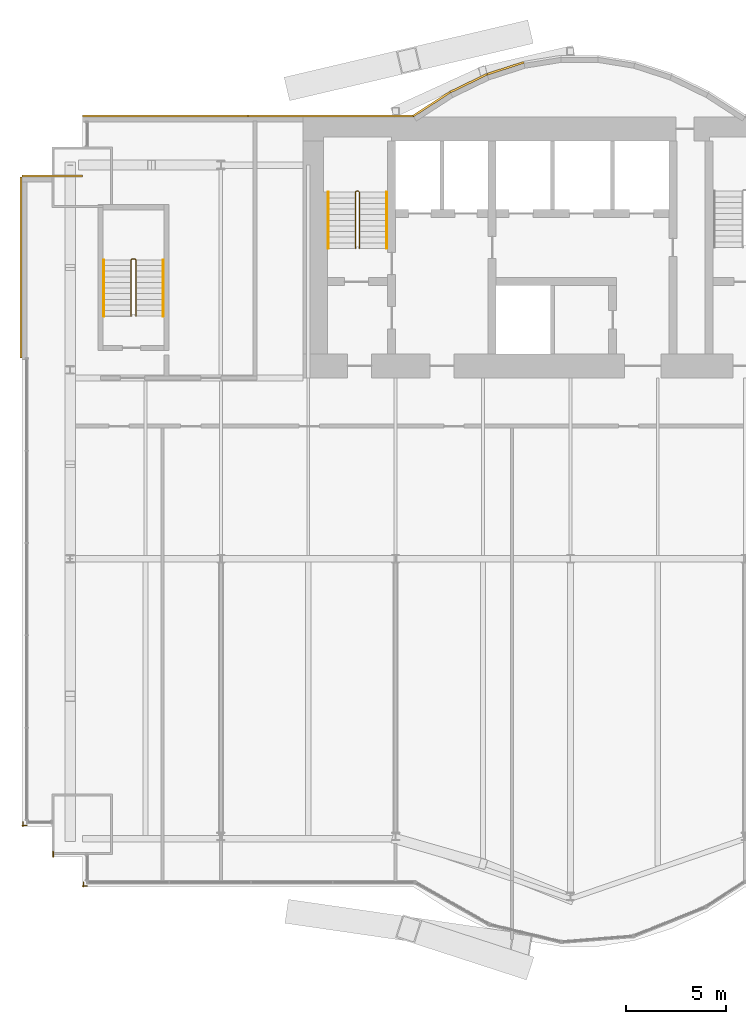
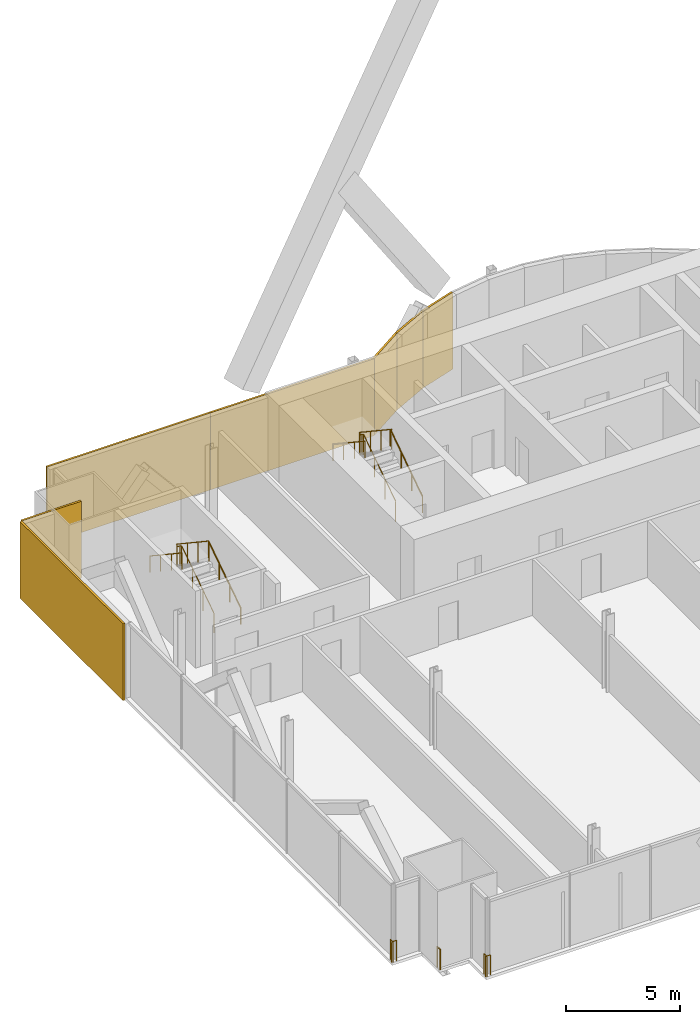
# One storey, part 20 of 22: 9 railings, 7 coverings.
"""IFC4 building model written with IfcOpenShell, lengths in metres."""

from ifc_helpers import new_model, si_unit, direction, frame, origin, origin_2d, place, context, subcontext, project, spatial, rectangle, circle, extrude, material, layer, layer_set, type_object, element, save


model = new_model("IFC4")

# Units and contexts
model_context = context("Model", 3, precision=1e-05, world=origin(), true_north=direction((0.0, 1.0)))
body_context = subcontext(model_context, "Body", "Model", "MODEL_VIEW")
ifc_project = project(units=[si_unit("LENGTHUNIT", "METRE"), si_unit("AREAUNIT", "SQUARE_METRE"), si_unit("VOLUMEUNIT", "CUBIC_METRE"), si_unit("PLANEANGLEUNIT", "RADIAN"), si_unit("MASSUNIT", "GRAM", prefix="KILO")], contexts=[model_context])

# Site, building, storey
site_placement = place(None, origin())
site = spatial("IfcSite", under=ifc_project, at=site_placement, CompositionType="ELEMENT")
building_placement = place(site_placement, origin())
building = spatial("IfcBuilding", under=site, at=building_placement, Name="Bicima Exchange Tower", CompositionType="ELEMENT")
storey_placement = place(building_placement, frame((0.0, 0.0, 102.199951171875)))
storey = spatial("IfcBuildingStorey", under=building, at=storey_placement, Name="L21", CompositionType="ELEMENT", Elevation=102.199951171875)

# Coverings
ifc_material_1 = material(Name="Bronze metal cladding")
ifc_layer_1 = layer(ifc_material_1, 0.004)
ifc_material_2 = material(Name="Ventilated cavity")
ifc_layer_2 = layer(ifc_material_2, 0.06)
ifc_material_3 = material(Name="Galvanised steel rail and mineral wool", Category="steel")
ifc_layer_3 = layer(ifc_material_3, 0.036)
ifc_layer_set = layer_set([ifc_layer_1, ifc_layer_2, ifc_layer_3], Name="Ventilated cavity")
covering_type = type_object("IfcCoveringType", Name="Bronze metal cladding panel 100", PredefinedType="CLADDING", material=ifc_layer_set)
covering_1_placement = place(storey_placement, frame((-11.931884765625, 2.41796875, -0.14990234375), z_axis=(0.0, 0.0, 1.0), x_axis=(-0.951524642381, -0.307572519808, 0.0)))
element("IfcCovering", 1, at=covering_1_placement, inside=storey, type_object=covering_type, Name="Bronze cladding L21 17.1", PredefinedType="CLADDING", context=body_context, shape_type="SweptSolid", body=[
    extrude(rectangle(XDim=1.9267578125, YDim=0.10009765625, at=origin_2d()), origin(), (0.0, 0.0, 1.0), 4.10009765625),
])
covering_2_placement = place(storey_placement, frame((-13.771728515625, 1.674560546875, -0.14990234375), z_axis=(0.0, 0.0, 1.0), x_axis=(-0.899818346812, -0.436264762204, 0.0)))
element("IfcCovering", 2, at=covering_2_placement, inside=storey, type_object=covering_type, Name="Bronze cladding L21 18.1", PredefinedType="CLADDING", context=body_context, shape_type="SweptSolid", body=[
    extrude(rectangle(XDim=2.03759765625, YDim=0.10009765625, at=origin_2d()), origin(), (0.0, 0.0, 1.0), 4.10009765625),
])
covering_3_placement = place(storey_placement, frame((-15.610595703125, 0.634521484375, -0.14990234375), z_axis=(0.0, 0.0, 1.0), x_axis=(-0.839790466384, -0.542910648791, 0.0)))
element("IfcCovering", 3, at=covering_3_placement, inside=storey, type_object=covering_type, Name="Bronze cladding L21 19.1", PredefinedType="CLADDING", context=body_context, shape_type="SweptSolid", body=[
    extrude(rectangle(XDim=2.18310546875, YDim=0.10009765625, at=origin_2d()), origin(), (0.0, 0.0, 1.0), 4.10009765625),
])
for number, where, z_axis, x_axis, name in (
    (4, (-20.625, 0.050048828125, -0.14990234375), (0.0, 0.0, 1.0), (-1.0, 0.0, 0.0), "Bronze cladding L21 20.1"),
    (5, (-28.875, 0.050048828125, -0.14990234375), (0.0, 0.0, 1.0), (-1.0, 0.0, 0.0), "Bronze cladding L21 20.2"),
):
    element("IfcCovering", number, at=place(storey_placement, frame(where, z_axis=z_axis, x_axis=x_axis)), inside=storey, type_object=covering_type, Name=name, PredefinedType="CLADDING", context=body_context, shape_type="SweptSolid", body=[
        extrude(rectangle(XDim=8.25, YDim=0.10009765625, at=origin_2d()), origin(), (0.0, 0.0, 1.0), 4.10009765625),
    ])
covering_4_placement = place(storey_placement, frame((-34.5, -2.949951171875, -0.14990234375), z_axis=(0.0, 0.0, 1.0), x_axis=(-1.0, 0.0, 0.0)))
element("IfcCovering", 6, at=covering_4_placement, inside=storey, type_object=covering_type, Name="Bronze cladding L21 22.1", PredefinedType="CLADDING", context=body_context, shape_type="SweptSolid", body=[
    extrude(rectangle(XDim=3.0, YDim=0.10009765625, at=origin_2d()), origin(), (0.0, 0.0, 1.0), 4.10009765625),
])
covering_5_placement = place(storey_placement, frame((-36.050048828125, -7.5, -0.14990234375), z_axis=(0.0, 0.0, 1.0), x_axis=(0.0, -1.0, 0.0)))
element("IfcCovering", 7, at=covering_5_placement, inside=storey, type_object=covering_type, Name="Bronze cladding L21 23.1", PredefinedType="CLADDING", context=body_context, shape_type="SweptSolid", body=[
    extrude(rectangle(XDim=9.0, YDim=0.10009765625, at=origin_2d()), origin(), (0.0, 0.0, 1.0), 4.10009765625),
])

# Railings
ifc_material_4 = material(Name="Stainless steel and bonded safety glass", Category="steel")
railing_type_1 = type_object("IfcRailingType", Name="Edge guard 1100", PredefinedType="GUARDRAIL", material=ifc_material_4)
railing_1_placement = place(storey_placement, frame((-35.75, -35.2900390625, 0.0)))
element("IfcRailing", 8, at=railing_1_placement, inside=storey, type_object=railing_type_1, Name="Edge guard L21 97", PredefinedType="GUARDRAIL", context=body_context, shape_type="SweptSolid", body=[
    extrude(circle(Radius=0.02392578125, at=origin_2d()), frame((0.0, 0.0, 1.076171875), z_axis=(-1.0, 0.0, 0.0), x_axis=(0.0, -1.0, 0.0)), (0.0, 0.0, 1.0), 0.25),
    extrude(circle(Radius=0.02392578125, at=origin_2d()), frame((-0.25, 0.0, 1.076171875), z_axis=(0.707106781187, -0.707106781187, 0.0), x_axis=(0.707106781187, 0.707106781187, 0.0)), (0.0, 0.0, 1.0), 0.07080078125),
    extrude(circle(Radius=0.02392578125, at=origin_2d()), frame((-0.199951171875, -0.050048828125, 1.076171875), z_axis=(0.0, 1.0, 0.0), x_axis=(-1.0, 0.0, 0.0)), (0.0, 0.0, 1.0), 0.2490234375),
    extrude(circle(Radius=0.02099609375, at=origin_2d()), origin(), (0.0, 0.0, 1.0), 1.052001953125),
    extrude(circle(Radius=0.02099609375, at=origin_2d()), frame((-0.25, 0.0, 0.0)), (0.0, 0.0, 1.0), 1.052001953125),
    extrude(circle(Radius=0.02099609375, at=origin_2d()), frame((-0.199951171875, -0.050048828125, 0.0)), (0.0, 0.0, 1.0), 1.052001953125),
    extrude(circle(Radius=0.02099609375, at=origin_2d()), frame((-0.199951171875, 0.198974609375, 0.0)), (0.0, 0.0, 1.0), 1.052001953125),
])
railing_2_placement = place(storey_placement, frame((-32.75, -38.2900390625, 0.0)))
element("IfcRailing", 9, at=railing_2_placement, inside=storey, type_object=railing_type_1, Name="Edge guard L21 101", PredefinedType="GUARDRAIL", context=body_context, shape_type="SweptSolid", body=[
    extrude(circle(Radius=0.02392578125, at=origin_2d()), frame((0.0, 0.0, 1.076171875), z_axis=(-1.0, 0.0, 0.0), x_axis=(0.0, -1.0, 0.0)), (0.0, 0.0, 1.0), 0.25),
    extrude(circle(Radius=0.02392578125, at=origin_2d()), frame((-0.25, 0.0, 1.076171875), z_axis=(0.707106781187, -0.707106781187, 0.0), x_axis=(0.707106781187, 0.707106781187, 0.0)), (0.0, 0.0, 1.0), 0.07080078125),
    extrude(circle(Radius=0.02392578125, at=origin_2d()), frame((-0.199951171875, -0.050048828125, 1.076171875), z_axis=(0.0, 1.0, 0.0), x_axis=(-1.0, 0.0, 0.0)), (0.0, 0.0, 1.0), 0.25),
    extrude(circle(Radius=0.02099609375, at=origin_2d()), origin(), (0.0, 0.0, 1.0), 1.052001953125),
    extrude(circle(Radius=0.02099609375, at=origin_2d()), frame((-0.25, 0.0, 0.0)), (0.0, 0.0, 1.0), 1.052001953125),
    extrude(circle(Radius=0.02099609375, at=origin_2d()), frame((-0.199951171875, -0.050048828125, 0.0)), (0.0, 0.0, 1.0), 1.052001953125),
    extrude(circle(Radius=0.02099609375, at=origin_2d()), frame((-0.199951171875, 0.199951171875, 0.0)), (0.0, 0.0, 1.0), 1.052001953125),
])
railing_3_placement = place(storey_placement, frame((-34.449951171875, -36.840087890625, 0.0)))
element("IfcRailing", 10, at=railing_3_placement, inside=storey, type_object=railing_type_1, Name="Edge guard L21 102", PredefinedType="GUARDRAIL", context=body_context, shape_type="SweptSolid", body=[
    extrude(circle(Radius=0.02392578125, at=origin_2d()), frame((0.0, 0.0, 1.076171875), z_axis=(0.0, 1.0, 0.0), x_axis=(-1.0, 0.0, 0.0)), (0.0, 0.0, 1.0), 0.25),
    extrude(circle(Radius=0.02099609375, at=origin_2d()), origin(), (0.0, 0.0, 1.0), 1.052001953125),
    extrude(circle(Radius=0.02099609375, at=origin_2d()), frame((0.0, 0.25, 0.0)), (0.0, 0.0, 1.0), 1.052001953125),
])
ifc_material_5 = material(Name="Stainless steel", Category="steel")
railing_type_2 = type_object("IfcRailingType", Name="Stair guard 1100", PredefinedType="GUARDRAIL", material=ifc_material_5)
railing_4_placement = place(storey_placement, frame((-19.199951171875, -6.550048828125, 0.1865234375)))
element("IfcRailing", 11, at=railing_4_placement, inside=storey, type_object=railing_type_2, Name="L21 ST-W stair guard 1", PredefinedType="GUARDRAIL", context=body_context, shape_type="SweptSolid", body=[
    extrude(circle(Radius=0.02392578125, at=origin_2d()), frame((0.0, 0.0, 1.076171875), z_axis=(0.0, 0.832485552168, 0.554046753832), x_axis=(-1.0, 0.0, 0.0)), (0.0, 0.0, 1.0), 3.363525390625),
    extrude(circle(Radius=0.02392578125, at=origin_2d()), frame((0.0, 2.800048828125, 2.939453125), z_axis=(-0.707106781187, 0.707106781187, 0.0), x_axis=(-0.707106781187, -0.707106781187, 0.0)), (0.0, 0.0, 1.0), 0.07080078125),
    extrude(circle(Radius=0.02392578125, at=origin_2d()), frame((-0.050048828125, 2.85009765625, 2.939453125), z_axis=(-1.0, 0.0, 0.0), x_axis=(0.0, -1.0, 0.0)), (0.0, 0.0, 1.0), 0.10009765625),
    extrude(circle(Radius=0.02392578125, at=origin_2d()), frame((-0.150146484375, 2.85009765625, 2.939453125), z_axis=(-0.250008635948, -0.251234168477, 0.935081319748), x_axis=(0.708833529934, -0.705375805398, 0.0)), (0.0, 0.0, 1.0), 0.19921875),
    extrude(circle(Radius=0.02392578125, at=origin_2d()), frame((-0.199951171875, 2.800048828125, 3.1259765625), z_axis=(0.0, -0.832452072856, 0.554097055034), x_axis=(1.0, 0.0, 0.0)), (0.0, 0.0, 1.0), 3.363525390625),
    extrude(circle(Radius=0.02099609375, at=origin_2d()), origin(), (0.0, 0.0, 1.0), 1.052001953125),
    extrude(circle(Radius=0.02099609375, at=origin_2d()), frame((0.0, 0.933349609375, 0.62109375)), (0.0, 0.0, 1.0), 1.052001953125),
    extrude(circle(Radius=0.02099609375, at=origin_2d()), frame((0.0, 1.86669921875, 1.242431640625)), (0.0, 0.0, 1.0), 1.052001953125),
    extrude(circle(Radius=0.02099609375, at=origin_2d()), frame((0.0, 2.800048828125, 1.863525390625)), (0.0, 0.0, 1.0), 1.052001953125),
    extrude(circle(Radius=0.02099609375, at=origin_2d()), frame((-0.050048828125, 2.85009765625, 1.863525390625)), (0.0, 0.0, 1.0), 1.052001953125),
    extrude(circle(Radius=0.02099609375, at=origin_2d()), frame((-0.150146484375, 2.85009765625, 1.863525390625)), (0.0, 0.0, 1.0), 1.052001953125),
    extrude(circle(Radius=0.02099609375, at=origin_2d()), frame((-0.199951171875, 2.800048828125, 2.0498046875)), (0.0, 0.0, 1.0), 1.052001953125),
    extrude(circle(Radius=0.02099609375, at=origin_2d()), frame((-0.199951171875, 1.86669921875, 2.671142578125)), (0.0, 0.0, 1.0), 1.052001953125),
    extrude(circle(Radius=0.02099609375, at=origin_2d()), frame((-0.199951171875, 0.933349609375, 3.292236328125)), (0.0, 0.0, 1.0), 1.052001953125),
    extrude(circle(Radius=0.02099609375, at=origin_2d()), frame((-0.199951171875, 0.0, 3.91357421875)), (0.0, 0.0, 1.0), 1.052001953125),
])
railing_5_placement = place(storey_placement, frame((-30.324951171875, -9.925048828125, 0.1865234375)))
element("IfcRailing", 12, at=railing_5_placement, inside=storey, type_object=railing_type_2, Name="L21 ST-WW stair guard 1", PredefinedType="GUARDRAIL", context=body_context, shape_type="SweptSolid", body=[
    extrude(circle(Radius=0.02392578125, at=origin_2d()), frame((0.0, 0.0, 1.076171875), z_axis=(0.0, 0.832485552168, 0.554046753832), x_axis=(-1.0, 0.0, 0.0)), (0.0, 0.0, 1.0), 3.363525390625),
    extrude(circle(Radius=0.02392578125, at=origin_2d()), frame((0.0, 2.800048828125, 2.939453125), z_axis=(-0.707106781187, 0.707106781187, 0.0), x_axis=(-0.707106781187, -0.707106781187, 0.0)), (0.0, 0.0, 1.0), 0.07080078125),
    extrude(circle(Radius=0.02392578125, at=origin_2d()), frame((-0.050048828125, 2.85009765625, 2.939453125), z_axis=(-1.0, 0.0, 0.0), x_axis=(0.0, -1.0, 0.0)), (0.0, 0.0, 1.0), 0.14990234375),
    extrude(circle(Radius=0.02392578125, at=origin_2d()), frame((-0.199951171875, 2.85009765625, 2.939453125), z_axis=(-0.251157038772, -0.251157038772, 0.934794246747), x_axis=(0.707106781187, -0.707106781187, 0.0)), (0.0, 0.0, 1.0), 0.19921875),
    extrude(circle(Radius=0.02392578125, at=origin_2d()), frame((-0.25, 2.800048828125, 3.1259765625), z_axis=(0.0, -0.832452072856, 0.554097055034), x_axis=(1.0, 0.0, 0.0)), (0.0, 0.0, 1.0), 3.363525390625),
    extrude(circle(Radius=0.02099609375, at=origin_2d()), origin(), (0.0, 0.0, 1.0), 1.052001953125),
    extrude(circle(Radius=0.02099609375, at=origin_2d()), frame((0.0, 0.933349609375, 0.62109375)), (0.0, 0.0, 1.0), 1.052001953125),
    extrude(circle(Radius=0.02099609375, at=origin_2d()), frame((0.0, 1.86669921875, 1.242431640625)), (0.0, 0.0, 1.0), 1.052001953125),
    extrude(circle(Radius=0.02099609375, at=origin_2d()), frame((0.0, 2.800048828125, 1.863525390625)), (0.0, 0.0, 1.0), 1.052001953125),
    extrude(circle(Radius=0.02099609375, at=origin_2d()), frame((-0.050048828125, 2.85009765625, 1.863525390625)), (0.0, 0.0, 1.0), 1.052001953125),
    extrude(circle(Radius=0.02099609375, at=origin_2d()), frame((-0.199951171875, 2.85009765625, 1.863525390625)), (0.0, 0.0, 1.0), 1.052001953125),
    extrude(circle(Radius=0.02099609375, at=origin_2d()), frame((-0.25, 2.800048828125, 2.0498046875)), (0.0, 0.0, 1.0), 1.052001953125),
    extrude(circle(Radius=0.02099609375, at=origin_2d()), frame((-0.25, 1.86669921875, 2.671142578125)), (0.0, 0.0, 1.0), 1.052001953125),
    extrude(circle(Radius=0.02099609375, at=origin_2d()), frame((-0.25, 0.933349609375, 3.292236328125)), (0.0, 0.0, 1.0), 1.052001953125),
    extrude(circle(Radius=0.02099609375, at=origin_2d()), frame((-0.25, 0.0, 3.91357421875)), (0.0, 0.0, 1.0), 1.052001953125),
])
railing_type_3 = type_object("IfcRailingType", Name="Stair handrail 900", PredefinedType="HANDRAIL", material=ifc_material_5)
railing_6_placement = place(storey_placement, frame((-17.85009765625, -6.550048828125, 0.1865234375)))
element("IfcRailing", 13, at=railing_6_placement, inside=storey, type_object=railing_type_3, Name="L21 ST-W stair handrail 1", PredefinedType="HANDRAIL", context=body_context, shape_type="SweptSolid", body=[
    extrude(circle(Radius=0.02392578125, at=origin_2d()), frame((0.0, 0.0, 0.8759765625), z_axis=(0.0, 0.832485552168, 0.554046753832), x_axis=(-1.0, 0.0, 0.0)), (0.0, 0.0, 1.0), 3.363525390625),
    extrude(circle(Radius=0.02099609375, at=origin_2d()), origin(), (0.0, 0.0, 1.0), 0.851806640625),
    extrude(circle(Radius=0.02099609375, at=origin_2d()), frame((0.0, 0.933349609375, 0.62109375)), (0.0, 0.0, 1.0), 0.851806640625),
    extrude(circle(Radius=0.02099609375, at=origin_2d()), frame((0.0, 1.86669921875, 1.242431640625)), (0.0, 0.0, 1.0), 0.851806640625),
    extrude(circle(Radius=0.02099609375, at=origin_2d()), frame((0.0, 2.800048828125, 1.863525390625)), (0.0, 0.0, 1.0), 0.851806640625),
])
railing_7_placement = place(storey_placement, frame((-20.75, -3.75, 2.27685546875)))
element("IfcRailing", 14, at=railing_7_placement, inside=storey, type_object=railing_type_3, Name="L21 ST-W stair handrail 2", PredefinedType="HANDRAIL", context=body_context, shape_type="SweptSolid", body=[
    extrude(circle(Radius=0.02392578125, at=origin_2d()), frame((0.0, 0.0, 0.8759765625), z_axis=(0.0, -0.832485552168, 0.554046753832), x_axis=(1.0, 0.0, 0.0)), (0.0, 0.0, 1.0), 3.363525390625),
    extrude(circle(Radius=0.02099609375, at=origin_2d()), origin(), (0.0, 0.0, 1.0), 0.851806640625),
    extrude(circle(Radius=0.02099609375, at=origin_2d()), frame((0.0, -0.933349609375, 0.62109375)), (0.0, 0.0, 1.0), 0.851806640625),
    extrude(circle(Radius=0.02099609375, at=origin_2d()), frame((0.0, -1.86669921875, 1.242431640625)), (0.0, 0.0, 1.0), 0.851806640625),
    extrude(circle(Radius=0.02099609375, at=origin_2d()), frame((0.0, -2.800048828125, 1.863525390625)), (0.0, 0.0, 1.0), 0.851806640625),
])
railing_8_placement = place(storey_placement, frame((-28.97509765625, -9.925048828125, 0.1865234375)))
element("IfcRailing", 15, at=railing_8_placement, inside=storey, type_object=railing_type_3, Name="L21 ST-WW stair handrail 1", PredefinedType="HANDRAIL", context=body_context, shape_type="SweptSolid", body=[
    extrude(circle(Radius=0.02392578125, at=origin_2d()), frame((0.0, 0.0, 0.8759765625), z_axis=(0.0, 0.832485552168, 0.554046753832), x_axis=(-1.0, 0.0, 0.0)), (0.0, 0.0, 1.0), 3.363525390625),
    extrude(circle(Radius=0.02099609375, at=origin_2d()), origin(), (0.0, 0.0, 1.0), 0.851806640625),
    extrude(circle(Radius=0.02099609375, at=origin_2d()), frame((0.0, 0.933349609375, 0.62109375)), (0.0, 0.0, 1.0), 0.851806640625),
    extrude(circle(Radius=0.02099609375, at=origin_2d()), frame((0.0, 1.86669921875, 1.242431640625)), (0.0, 0.0, 1.0), 0.851806640625),
    extrude(circle(Radius=0.02099609375, at=origin_2d()), frame((0.0, 2.800048828125, 1.863525390625)), (0.0, 0.0, 1.0), 0.851806640625),
])
railing_9_placement = place(storey_placement, frame((-31.925048828125, -7.125, 2.27685546875)))
element("IfcRailing", 16, at=railing_9_placement, inside=storey, type_object=railing_type_3, Name="L21 ST-WW stair handrail 2", PredefinedType="HANDRAIL", context=body_context, shape_type="SweptSolid", body=[
    extrude(circle(Radius=0.02392578125, at=origin_2d()), frame((0.0, 0.0, 0.8759765625), z_axis=(0.0, -0.832485552168, 0.554046753832), x_axis=(1.0, 0.0, 0.0)), (0.0, 0.0, 1.0), 3.363525390625),
    extrude(circle(Radius=0.02099609375, at=origin_2d()), origin(), (0.0, 0.0, 1.0), 0.851806640625),
    extrude(circle(Radius=0.02099609375, at=origin_2d()), frame((0.0, -0.933349609375, 0.62109375)), (0.0, 0.0, 1.0), 0.851806640625),
    extrude(circle(Radius=0.02099609375, at=origin_2d()), frame((0.0, -1.86669921875, 1.242431640625)), (0.0, 0.0, 1.0), 0.851806640625),
    extrude(circle(Radius=0.02099609375, at=origin_2d()), frame((0.0, -2.800048828125, 1.863525390625)), (0.0, 0.0, 1.0), 0.851806640625),
])

save(model, "model.ifc")
